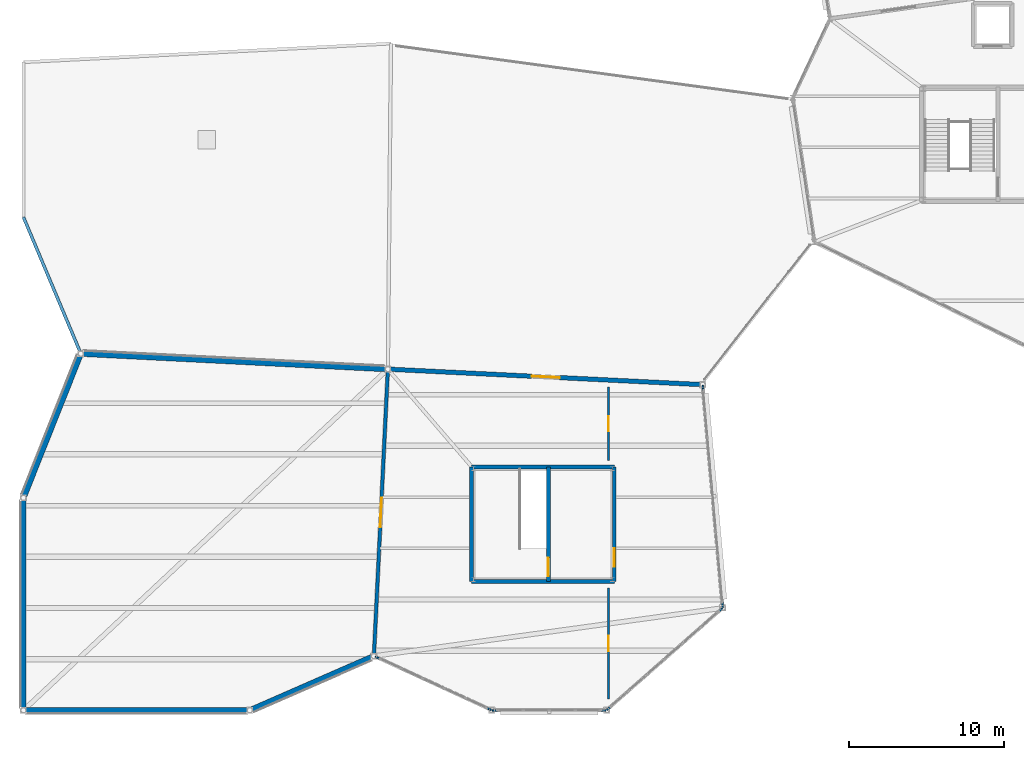
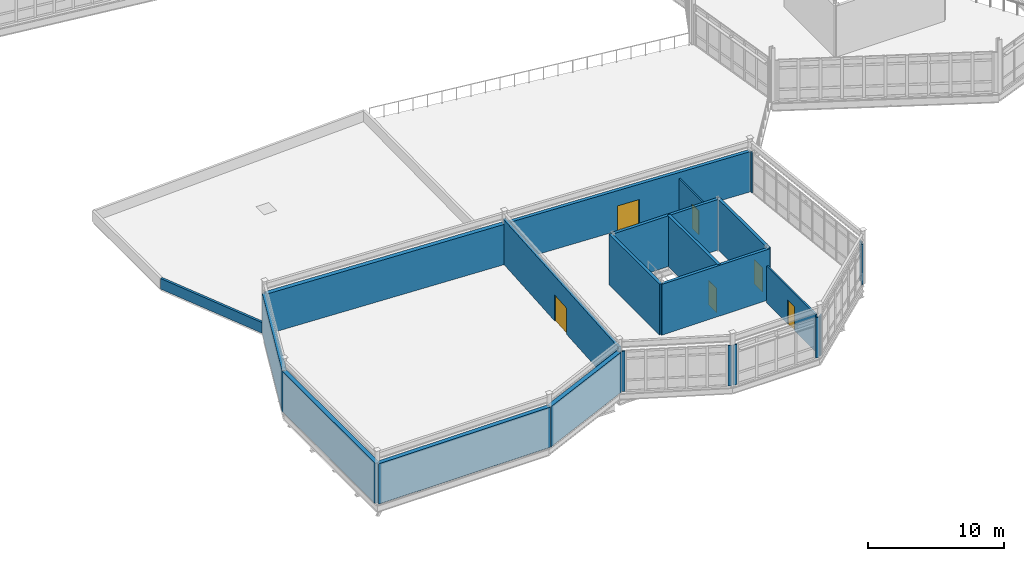
# One storey, part 87 of 114: 23 walls, 6 doors, 6 openings.
"""IFC4 building model written with IfcOpenShell, lengths in metres."""

from ifc_helpers import new_model, si_unit, direction, frame, frame_2d, origin, place, context, subcontext, project, spatial, rectangle, extrude, material, layer, layer_set, type_object, element, fill, save


model = new_model("IFC4")

# Units and contexts
model_context = context("Model", 3, precision=1e-05, world=origin(), true_north=direction((0.0, 1.0)))
body_context = subcontext(model_context, "Body", "Model", "MODEL_VIEW")
ifc_project = project(units=[si_unit("LENGTHUNIT", "METRE"), si_unit("AREAUNIT", "SQUARE_METRE"), si_unit("VOLUMEUNIT", "CUBIC_METRE"), si_unit("PLANEANGLEUNIT", "RADIAN"), si_unit("MASSUNIT", "GRAM", prefix="KILO")], contexts=[model_context])

# Site, building, storey
site_placement = place(None, origin())
site = spatial("IfcSite", under=ifc_project, at=site_placement, CompositionType="ELEMENT")
building_placement = place(site_placement, origin())
building = spatial("IfcBuilding", under=site, at=building_placement, Name="Tameran Prism Museum", CompositionType="ELEMENT")
storey_placement = place(building_placement, frame((0.0, 0.0, 10.199951171875)))
storey = spatial("IfcBuildingStorey", under=building, at=storey_placement, Name="L02", CompositionType="ELEMENT", Elevation=10.199951171875)

# Walls
ifc_material_1 = material(Name="Precast Concrete N40 (40 MPa)", Category="concrete")
ifc_layer_1 = layer(ifc_material_1, 0.360107421875)
ifc_layer_set_1 = layer_set([ifc_layer_1])
wall_type_1 = type_object("IfcWallType", Name="EW-AUD-360", PredefinedType="SOLIDWALL", material=ifc_layer_set_1)
wall_1_placement = place(storey_placement, frame((3.699951171875, 23.0, 0.0), z_axis=(0.0, 0.0, 1.0), x_axis=(0.998726796939, -0.050445862825, 0.0)))
element("IfcWall", 1, at=wall_1_placement, inside=storey, type_object=wall_type_1, Name="Exterior Fluted Precast Wall EW-0325", PredefinedType="SOLIDWALL", context=body_context, shape_type="SweptSolid", body=[
    extrude(rectangle(XDim=19.76513671875, YDim=0.360107421875, at=frame_2d((9.882568359375, 0.0))), origin(), (0.0, 0.0, 1.0), 3.6201171875),
])
wall_2_placement = place(storey_placement, frame((0.0, 13.699951171875, 0.0), z_axis=(0.0, 0.0, 1.0), x_axis=(0.369661561468, 0.929166470538, 0.0)))
element("IfcWall", 2, at=wall_2_placement, inside=storey, type_object=wall_type_1, Name="Exterior Fluted Precast Wall EW-0326", PredefinedType="SOLIDWALL", context=body_context, shape_type="SweptSolid", body=[
    extrude(rectangle(XDim=10.009033203125, YDim=0.360107421875, at=frame_2d((5.00439453125, 0.0))), origin(), (0.0, 0.0, 1.0), 3.6201171875),
])
wall_3_placement = place(storey_placement, frame((0.0, 0.0, 0.0), z_axis=(0.0, 0.0, 1.0), x_axis=(0.0, 1.0, 0.0)))
element("IfcWall", 3, at=wall_3_placement, inside=storey, type_object=wall_type_1, Name="Exterior Fluted Precast Wall EW-0327", PredefinedType="SOLIDWALL", context=body_context, shape_type="SweptSolid", body=[
    extrude(rectangle(XDim=13.699951171875, YDim=0.360107421875, at=frame_2d((6.85009765625, 0.0))), origin(), (0.0, 0.0, 1.0), 3.6201171875),
])
wall_4_placement = place(storey_placement, frame((14.60009765625, 0.0, 0.0), z_axis=(0.0, 0.0, 1.0), x_axis=(-1.0, 0.0, 0.0)))
element("IfcWall", 4, at=wall_4_placement, inside=storey, type_object=wall_type_1, Name="Exterior Fluted Precast Wall EW-0328", PredefinedType="SOLIDWALL", context=body_context, shape_type="SweptSolid", body=[
    extrude(rectangle(XDim=14.60009765625, YDim=0.360107421875, at=frame_2d((7.300048828125, 0.0))), origin(), (0.0, 0.0, 1.0), 3.6201171875),
])
wall_5_placement = place(storey_placement, frame((22.544921875, 3.47607421875, 0.0), z_axis=(0.0, 0.0, 1.0), x_axis=(-0.916148288852, -0.400839510069, 0.0)))
element("IfcWall", 5, at=wall_5_placement, inside=storey, type_object=wall_type_1, Name="Exterior Fluted Precast Wall EW-0329", PredefinedType="SOLIDWALL", context=body_context, shape_type="SweptSolid", body=[
    extrude(rectangle(XDim=8.671875, YDim=0.360107421875, at=frame_2d((4.3359375, 0.0))), origin(), (0.0, 0.0, 1.0), 3.6201171875),
])
ifc_material_2 = material(Name="Precast Concrete N40 (40 MPa)", Category="concrete")
ifc_layer_2 = layer(ifc_material_2, 0.094970703125)
ifc_layer_set_2 = layer_set([ifc_layer_2])
wall_type_2 = type_object("IfcWallType", Name="EW-CLOS-095", PredefinedType="SOLIDWALL", material=ifc_layer_set_2)
for number, where, z_axis, x_axis, name in (
    (6, (30.162109375, 0.01806640625, 0.0), (0.0, 0.0, 1.0), (-0.9095772547, 0.415534857422, 0.0), "Facade Corner Closure EW-0330"),
    (7, (22.971923828125, 3.3291015625, 0.0), (0.0, 0.0, 1.0), (-0.9095772547, 0.415534857422, 0.0), "Facade Corner Closure EW-0331"),
):
    element("IfcWall", number, at=place(storey_placement, frame(where, z_axis=z_axis, x_axis=x_axis)), inside=storey, type_object=wall_type_2, Name=name, PredefinedType="SOLIDWALL", context=body_context, shape_type="SweptSolid", body=[
        extrude(rectangle(XDim=0.307861328125, YDim=0.094970703125, at=frame_2d((0.15380859375, 0.0))), origin(), (0.0, 0.0, 1.0), 3.6201171875),
    ])
for number, where, z_axis, x_axis, name in (
    (8, (37.55810546875, 0.0, 0.0), (0.0, 0.0, 1.0), (-1.0, 0.0, 0.0), "Facade Corner Closure EW-0332"),
    (9, (30.550048828125, 0.0, 0.0), (0.0, 0.0, 1.0), (-1.0, 0.0, 0.0), "Facade Corner Closure EW-0333"),
):
    element("IfcWall", number, at=place(storey_placement, frame(where, z_axis=z_axis, x_axis=x_axis)), inside=storey, type_object=wall_type_2, Name=name, PredefinedType="SOLIDWALL", context=body_context, shape_type="SweptSolid", body=[
        extrude(rectangle(XDim=0.30810546875, YDim=0.094970703125, at=frame_2d((0.154052734375, 0.0))), origin(), (0.0, 0.0, 1.0), 3.6201171875),
    ])
wall_6_placement = place(storey_placement, frame((45.068115234375, 6.572021484375, 0.0), z_axis=(0.0, 0.0, 1.0), x_axis=(-0.75124833206, -0.660019653932, 0.0)))
element("IfcWall", 10, at=wall_6_placement, inside=storey, type_object=wall_type_2, Name="Facade Corner Closure EW-0334", PredefinedType="SOLIDWALL", context=body_context, shape_type="SweptSolid", body=[
    extrude(rectangle(XDim=0.307861328125, YDim=0.094970703125, at=frame_2d((0.15380859375, 0.0))), origin(), (0.0, 0.0, 1.0), 3.6201171875),
])
wall_7_placement = place(storey_placement, frame((37.863037109375, 0.23095703125, 0.0), z_axis=(0.0, 0.0, 1.0), x_axis=(-0.751296149946, -0.659965222627, 0.0)))
element("IfcWall", 11, at=wall_7_placement, inside=storey, type_object=wall_type_2, Name="Facade Corner Closure EW-0335", PredefinedType="SOLIDWALL", context=body_context, shape_type="SweptSolid", body=[
    extrude(rectangle(XDim=0.307373046875, YDim=0.094970703125, at=frame_2d((0.15380859375, 0.0))), origin(), (0.0, 0.0, 1.0), 3.6201171875),
])
wall_8_placement = place(storey_placement, frame((43.803955078125, 20.9580078125, 0.0), z_axis=(0.0, 0.0, 1.0), x_axis=(0.087893810296, -0.996129850025, 0.0)))
element("IfcWall", 12, at=wall_8_placement, inside=storey, type_object=wall_type_2, Name="Facade Corner Closure EW-0336", PredefinedType="SOLIDWALL", context=body_context, shape_type="SweptSolid", body=[
    extrude(rectangle(XDim=0.308349609375, YDim=0.094970703125, at=frame_2d((0.154296875, 0.0))), origin(), (0.0, 0.0, 1.0), 3.6201171875),
])
wall_9_placement = place(storey_placement, frame((45.069091796875, 6.948974609375, 0.0), z_axis=(0.0, 0.0, 1.0), x_axis=(0.087176781459, -0.996192857219, 0.0)))
element("IfcWall", 13, at=wall_9_placement, inside=storey, type_object=wall_type_2, Name="Facade Corner Closure EW-0337", PredefinedType="SOLIDWALL", context=body_context, shape_type="SweptSolid", body=[
    extrude(rectangle(XDim=0.30810546875, YDim=0.094970703125, at=frame_2d((0.154052734375, 0.0))), origin(), (0.0, 0.0, 1.0), 3.6201171875),
])

# Wall, opening, door
ifc_material_3 = material(Name="Precast Concrete N40 (40 MPa)", Category="concrete")
ifc_layer_3 = layer(ifc_material_3, 0.2900390625)
ifc_layer_set_3 = layer_set([ifc_layer_3])
wall_type_3 = type_object("IfcWallType", Name="EW-FOY-290", PredefinedType="SOLIDWALL", material=ifc_layer_set_3)
wall_10_placement = place(storey_placement, frame((23.56005859375, 21.9970703125, 0.0), z_axis=(0.0, 0.0, 1.0), x_axis=(0.998788812439, -0.049202724992, 0.0)))
wall_10 = element("IfcWall", 14, at=wall_10_placement, inside=storey, type_object=wall_type_3, Name="Exterior Fluted Precast Wall EW-0338", PredefinedType="SOLIDWALL", context=body_context, shape_type="SweptSolid", body=[
    extrude(rectangle(XDim=20.2646484375, YDim=0.2900390625, at=frame_2d((10.13232421875, 0.0))), origin(), (0.0, 0.0, 1.0), 3.6201171875),
])
opening_1_placement = place(wall_10_placement, frame((9.23193359375, 0.0, 0.0)))
opening_1 = element("IfcOpeningElement", 15, at=opening_1_placement, cuts=wall_10, Name="Opening TD-16", PredefinedType="OPENING", context=body_context, shape_type="SweptSolid", body=[
    extrude(rectangle(XDim=1.800048828125, YDim=2.25, at=frame_2d((0.89990234375, 1.125))), frame((0.0, 0.155029296875, 0.0), z_axis=(0.0, -1.0, 0.0), x_axis=(1.0, 0.0, 0.0)), (0.0, 0.0, 1.0), 0.31005859375),
])
ifc_material_4 = material(Name="Cyclone-Rated Anodised Aluminium 6063-T6 and Laminated Glass", Category="aluminium")
door_type_1 = type_object("IfcDoorType", Name="DR-TER-180", OperationType="DOUBLE_DOOR_SINGLE_SWING", PredefinedType="DOOR", material=ifc_material_4)
door_1_placement = place(opening_1_placement, origin())
door_1 = element("IfcDoor", 16, at=door_1_placement, inside=storey, type_object=door_type_1, Name="Terrace Access Door TD-16", OperationType="DOUBLE_DOOR_SINGLE_SWING", OverallHeight=2.25, OverallWidth=1.800048828125, PredefinedType="DOOR", context=body_context, shape_type="SweptSolid", body=[
    extrude(rectangle(XDim=1.800048828125, YDim=2.25, at=frame_2d((0.89990234375, 1.125))), frame((0.0, 0.02490234375, 0.0), z_axis=(0.0, -1.0, 0.0), x_axis=(1.0, 0.0, 0.0)), (0.0, 0.0, 1.0), 0.050048828125),
])
fill(opening_1, door_1)

# Wall
ifc_material_5 = material(Name="Precast Concrete N40 (40 MPa)", Category="concrete")
ifc_layer_4 = layer(ifc_material_5, 0.195068359375)
ifc_layer_set_4 = layer_set([ifc_layer_4])
wall_type_4 = type_object("IfcWallType", Name="EW-PAR-195", PredefinedType="PARAPET", material=ifc_layer_set_4)
wall_11_placement = place(storey_placement, frame((0.0, 31.800048828125, 0.0), z_axis=(0.0, 0.0, 1.0), x_axis=(0.387558181878, -0.921845244962, 0.0)))
element("IfcWall", 17, at=wall_11_placement, inside=storey, type_object=wall_type_4, Name="Roof Parapet EP-003", PredefinedType="PARAPET", context=body_context, shape_type="SweptSolid", body=[
    extrude(rectangle(XDim=9.365966796875, YDim=0.195068359375, at=frame_2d((4.68310546875, 0.0))), origin(), (0.0, 0.0, 1.0), 0.949951171875),
])

# Wall, opening, door
ifc_material_6 = material(Name="Concrete N40 (40 MPa)", Category="concrete")
ifc_layer_5 = layer(ifc_material_6, 0.22509765625)
ifc_layer_set_5 = layer_set([ifc_layer_5])
wall_type_5 = type_object("IfcWallType", Name="IW-CMP-225", PredefinedType="SOLIDWALL", material=ifc_layer_set_5)
wall_12_placement = place(storey_placement, frame((22.60009765625, 3.5, 0.0), z_axis=(0.0, 0.0, 1.0), x_axis=(0.048585922438, 0.998819006698, 0.0)))
wall_12 = element("IfcWall", 18, at=wall_12_placement, inside=storey, type_object=wall_type_5, Name="Compartment Wall IW-0123", PredefinedType="SOLIDWALL", context=body_context, shape_type="SweptSolid", body=[
    extrude(rectangle(XDim=18.52197265625, YDim=0.22509765625, at=frame_2d((9.260986328125, 0.0))), origin(), (0.0, 0.0, 1.0), 4.02001953125),
])
opening_2_placement = place(wall_12_placement, frame((8.31103515625, 0.0, 0.0)))
opening_2 = element("IfcOpeningElement", 19, at=opening_2_placement, cuts=wall_12, Name="Opening ID-0122", PredefinedType="OPENING", context=body_context, shape_type="SweptSolid", body=[
    extrude(rectangle(XDim=1.89990234375, YDim=2.35009765625, at=frame_2d((0.949951171875, 1.175048828125))), frame((0.0, 0.12255859375, 0.0), z_axis=(0.0, -1.0, 0.0), x_axis=(1.0, 0.0, 0.0)), (0.0, 0.0, 1.0), 0.2451171875),
])
ifc_material_7 = material(Name="Fire-Rated Steel Door Leaf and Frame", Category="steel")
door_type_2 = type_object("IfcDoorType", Name="DR-AUD-190", OperationType="DOUBLE_DOOR_SINGLE_SWING", PredefinedType="DOOR", material=ifc_material_7)
door_2_placement = place(opening_2_placement, origin())
door_2 = element("IfcDoor", 20, at=door_2_placement, inside=storey, type_object=door_type_2, Name="Compartment Door ID-0122", OperationType="DOUBLE_DOOR_SINGLE_SWING", OverallHeight=2.35009765625, OverallWidth=1.89990234375, PredefinedType="DOOR", context=body_context, shape_type="SweptSolid", body=[
    extrude(rectangle(XDim=1.89990234375, YDim=2.35009765625, at=frame_2d((0.949951171875, 1.175048828125))), frame((0.0, 0.02490234375, 0.0), z_axis=(0.0, -1.0, 0.0), x_axis=(1.0, 0.0, 0.0)), (0.0, 0.0, 1.0), 0.050048828125),
])
fill(opening_2, door_2)

# Walls
ifc_material_8 = material(Name="Concrete N40 (40 MPa)", Category="concrete")
ifc_layer_6 = layer(ifc_material_8, 0.25)
ifc_layer_set_6 = layer_set([ifc_layer_6])
wall_type_6 = type_object("IfcWallType", Name="IW-COR-250", PredefinedType="SHEAR", material=ifc_layer_set_6)
wall_13_placement = place(storey_placement, frame((28.89990234375, 8.300048828125, 0.0), z_axis=(0.0, 0.0, 1.0), x_axis=(0.0, 1.0, 0.0)))
element("IfcWall", 21, at=wall_13_placement, inside=storey, type_object=wall_type_6, Name="Core Shear Wall CW-6-L02-W", PredefinedType="SHEAR", context=body_context, shape_type="SweptSolid", body=[
    extrude(rectangle(XDim=7.39990234375, YDim=0.25, at=frame_2d((3.699951171875, 0.0))), origin(), (0.0, 0.0, 1.0), 4.56005859375),
])
for number, where, z_axis, x_axis, name in (
    (22, (28.89990234375, 15.699951171875, 0.0), (0.0, 0.0, 1.0), (1.0, 0.0, 0.0), "Core Shear Wall CW-6-L02-N"),
    (23, (38.10009765625, 8.300048828125, 0.0), (0.0, 0.0, 1.0), (-1.0, 0.0, 0.0), "Core Shear Wall CW-6-L02-S"),
):
    element("IfcWall", number, at=place(storey_placement, frame(where, z_axis=z_axis, x_axis=x_axis)), inside=storey, type_object=wall_type_6, Name=name, PredefinedType="SHEAR", context=body_context, shape_type="SweptSolid", body=[
        extrude(rectangle(XDim=9.2001953125, YDim=0.25, at=frame_2d((4.60009765625, 0.0))), origin(), (0.0, 0.0, 1.0), 4.56005859375),
    ])

# Wall, opening, door
wall_14_placement = place(storey_placement, frame((38.10009765625, 15.699951171875, 0.0), z_axis=(0.0, 0.0, 1.0), x_axis=(0.0, -1.0, 0.0)))
wall_14 = element("IfcWall", 24, at=wall_14_placement, inside=storey, type_object=wall_type_6, Name="Core Shear Wall CW-6-L02-E", PredefinedType="SHEAR", context=body_context, shape_type="SweptSolid", body=[
    extrude(rectangle(XDim=7.39990234375, YDim=0.25, at=frame_2d((3.699951171875, 0.0))), origin(), (0.0, 0.0, 1.0), 4.56005859375),
])
opening_3_placement = place(wall_14_placement, frame((5.25, 0.0, 0.0)))
opening_3 = element("IfcOpeningElement", 25, at=opening_3_placement, cuts=wall_14, Name="Opening FD-0257", PredefinedType="OPENING", context=body_context, shape_type="SweptSolid", body=[
    extrude(rectangle(XDim=1.199951171875, YDim=2.199951171875, at=frame_2d((0.60009765625, 1.10009765625))), frame((0.0, 0.135009765625, 0.0), z_axis=(0.0, -1.0, 0.0), x_axis=(1.0, 0.0, 0.0)), (0.0, 0.0, 1.0), 0.27001953125),
])
ifc_material_9 = material(Name="Fire-Rated Steel Door Leaf and Frame", Category="steel")
door_type_3 = type_object("IfcDoorType", Name="DR-FD-120A", OperationType="NOTDEFINED", PredefinedType="DOOR", material=ifc_material_9)
door_3_placement = place(opening_3_placement, origin())
door_3 = element("IfcDoor", 26, at=door_3_placement, inside=storey, type_object=door_type_3, Name="Core Fire Door FD-0257", OperationType="SINGLE_SWING_LEFT", OverallHeight=2.199951171875, OverallWidth=1.199951171875, PredefinedType="DOOR", context=body_context, shape_type="SweptSolid", body=[
    extrude(rectangle(XDim=1.199951171875, YDim=2.199951171875, at=frame_2d((0.60009765625, 1.10009765625))), frame((0.0, 0.02490234375, 0.0), z_axis=(0.0, -1.0, 0.0), x_axis=(1.0, 0.0, 0.0)), (0.0, 0.0, 1.0), 0.050048828125),
])
fill(opening_3, door_3)

wall_15_placement = place(storey_placement, frame((33.85009765625, 15.699951171875, 0.0), z_axis=(0.0, 0.0, 1.0), x_axis=(0.0, -1.0, 0.0)))
wall_15 = element("IfcWall", 27, at=wall_15_placement, inside=storey, type_object=wall_type_6, Name="Core Shear Wall CW-6-L02-M", PredefinedType="SHEAR", context=body_context, shape_type="SweptSolid", body=[
    extrude(rectangle(XDim=7.39990234375, YDim=0.25, at=frame_2d((3.699951171875, 0.0))), origin(), (0.0, 0.0, 1.0), 4.56005859375),
])
opening_4_placement = place(wall_15_placement, frame((5.85009765625, 0.0, 0.0)))
opening_4 = element("IfcOpeningElement", 28, at=opening_4_placement, cuts=wall_15, Name="Opening FD-0258", PredefinedType="OPENING", context=body_context, shape_type="SweptSolid", body=[
    extrude(rectangle(XDim=1.199951171875, YDim=2.199951171875, at=frame_2d((0.60009765625, 1.10009765625))), frame((0.0, 0.135009765625, 0.0), z_axis=(0.0, -1.0, 0.0), x_axis=(1.0, 0.0, 0.0)), (0.0, 0.0, 1.0), 0.27001953125),
])
door_4_placement = place(opening_4_placement, origin())
door_4 = element("IfcDoor", 29, at=door_4_placement, inside=storey, type_object=door_type_3, Name="Core Fire Door FD-0258", OperationType="SINGLE_SWING_RIGHT", OverallHeight=2.199951171875, OverallWidth=1.199951171875, PredefinedType="DOOR", context=body_context, shape_type="SweptSolid", body=[
    extrude(rectangle(XDim=1.199951171875, YDim=2.199951171875, at=frame_2d((0.60009765625, 1.10009765625))), frame((0.0, 0.02490234375, 0.0), z_axis=(0.0, -1.0, 0.0), x_axis=(1.0, 0.0, 0.0)), (0.0, 0.0, 1.0), 0.050048828125),
])
fill(opening_4, door_4)

ifc_material_10 = material(Name="Wet-Area Fibre-Cement Stud Partition")
ifc_layer_7 = layer(ifc_material_10, 0.1298828125)
ifc_layer_set_7 = layer_set([ifc_layer_7])
wall_type_7 = type_object("IfcWallType", Name="IW-PRT-130", PredefinedType="PARTITIONING", material=ifc_layer_set_7)
wall_16_placement = place(storey_placement, frame((37.72998046875, 16.10009765625, 0.0), z_axis=(0.0, 0.0, 1.0), x_axis=(0.0, 1.0, 0.0)))
wall_16 = element("IfcWall", 30, at=wall_16_placement, inside=storey, type_object=wall_type_7, Name="Internal Partition PT-0133", PredefinedType="PARTITIONING", context=body_context, shape_type="SweptSolid", body=[
    extrude(rectangle(XDim=4.747802734375, YDim=0.1298828125, at=frame_2d((2.3740234375, 0.0))), origin(), (0.0, 0.0, 1.0), 3.320068359375),
])
opening_5_placement = place(wall_16_placement, frame((1.884033203125, 0.0, 0.0)))
opening_5 = element("IfcOpeningElement", 31, at=opening_5_placement, cuts=wall_16, Name="Opening ID-0132", PredefinedType="OPENING", context=body_context, shape_type="SweptSolid", body=[
    extrude(rectangle(XDim=0.97998046875, YDim=2.14990234375, at=frame_2d((0.489990234375, 1.074951171875))), frame((0.0, 0.074951171875, 0.0), z_axis=(0.0, -1.0, 0.0), x_axis=(1.0, 0.0, 0.0)), (0.0, 0.0, 1.0), 0.14990234375),
])
ifc_material_11 = material(Name="Acoustic Solid-Core Timber Door", Category="wood")
door_type_4 = type_object("IfcDoorType", Name="DR-INT-098", OperationType="NOTDEFINED", PredefinedType="DOOR", material=ifc_material_11)
door_5_placement = place(opening_5_placement, origin())
door_5 = element("IfcDoor", 32, at=door_5_placement, inside=storey, type_object=door_type_4, Name="Interior Room Door ID-0132", OperationType="SINGLE_SWING_LEFT", OverallHeight=2.14990234375, OverallWidth=0.97998046875, PredefinedType="DOOR", context=body_context, shape_type="SweptSolid", body=[
    extrude(rectangle(XDim=0.97998046875, YDim=2.14990234375, at=frame_2d((0.489990234375, 1.074951171875))), frame((0.0, 0.02490234375, 0.0), z_axis=(0.0, -1.0, 0.0), x_axis=(1.0, 0.0, 0.0)), (0.0, 0.0, 1.0), 0.050048828125),
])
fill(opening_5, door_5)

ifc_material_12 = material(Name="Acoustic Seminar Stud Partition")
ifc_layer_8 = layer(ifc_material_12, 0.139892578125)
ifc_layer_set_8 = layer_set([ifc_layer_8])
wall_type_8 = type_object("IfcWallType", Name="IW-PRT-140", PredefinedType="PARTITIONING", material=ifc_layer_set_8)
wall_17_placement = place(storey_placement, frame((37.72998046875, 0.714111328125, 0.0), z_axis=(0.0, 0.0, 1.0), x_axis=(0.0, 1.0, 0.0)))
wall_17 = element("IfcWall", 33, at=wall_17_placement, inside=storey, type_object=wall_type_8, Name="Internal Partition PT-0132", PredefinedType="PARTITIONING", context=body_context, shape_type="SweptSolid", body=[
    extrude(rectangle(XDim=7.185791015625, YDim=0.139892578125, at=frame_2d((3.5927734375, 0.0))), origin(), (0.0, 0.0, 1.0), 3.320068359375),
])
opening_6_placement = place(wall_17_placement, frame((3.10302734375, 0.0, 0.0)))
opening_6 = element("IfcOpeningElement", 34, at=opening_6_placement, cuts=wall_17, Name="Opening ID-0131", PredefinedType="OPENING", context=body_context, shape_type="SweptSolid", body=[
    extrude(rectangle(XDim=0.97998046875, YDim=2.14990234375, at=frame_2d((0.489990234375, 1.074951171875))), frame((0.0, 0.079833984375, 0.0), z_axis=(0.0, -1.0, 0.0), x_axis=(1.0, 0.0, 0.0)), (0.0, 0.0, 1.0), 0.159912109375),
])
door_6_placement = place(opening_6_placement, origin())
door_6 = element("IfcDoor", 35, at=door_6_placement, inside=storey, type_object=door_type_4, Name="Interior Room Door ID-0131", OperationType="SINGLE_SWING_RIGHT", OverallHeight=2.14990234375, OverallWidth=0.97998046875, PredefinedType="DOOR", context=body_context, shape_type="SweptSolid", body=[
    extrude(rectangle(XDim=0.97998046875, YDim=2.14990234375, at=frame_2d((0.489990234375, 1.074951171875))), frame((0.0, 0.02490234375, 0.0), z_axis=(0.0, -1.0, 0.0), x_axis=(1.0, 0.0, 0.0)), (0.0, 0.0, 1.0), 0.050048828125),
])
fill(opening_6, door_6)

save(model, "model.ifc")
